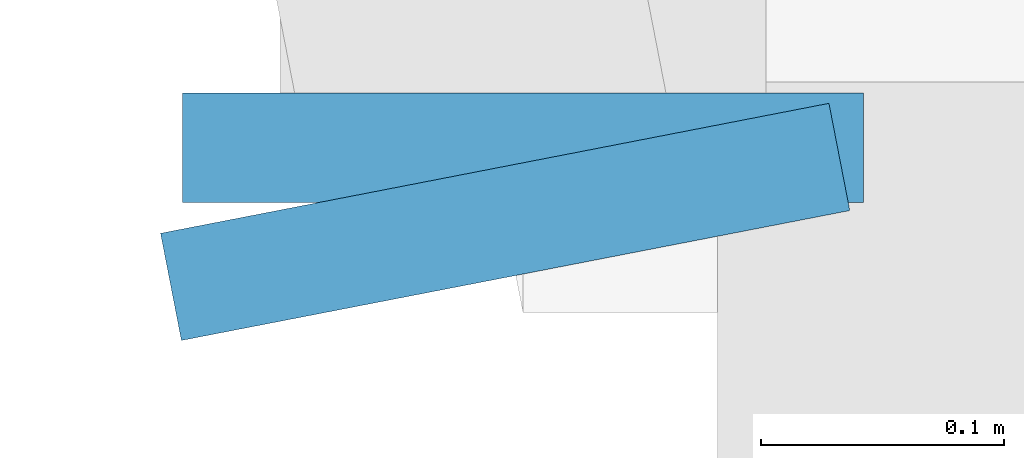
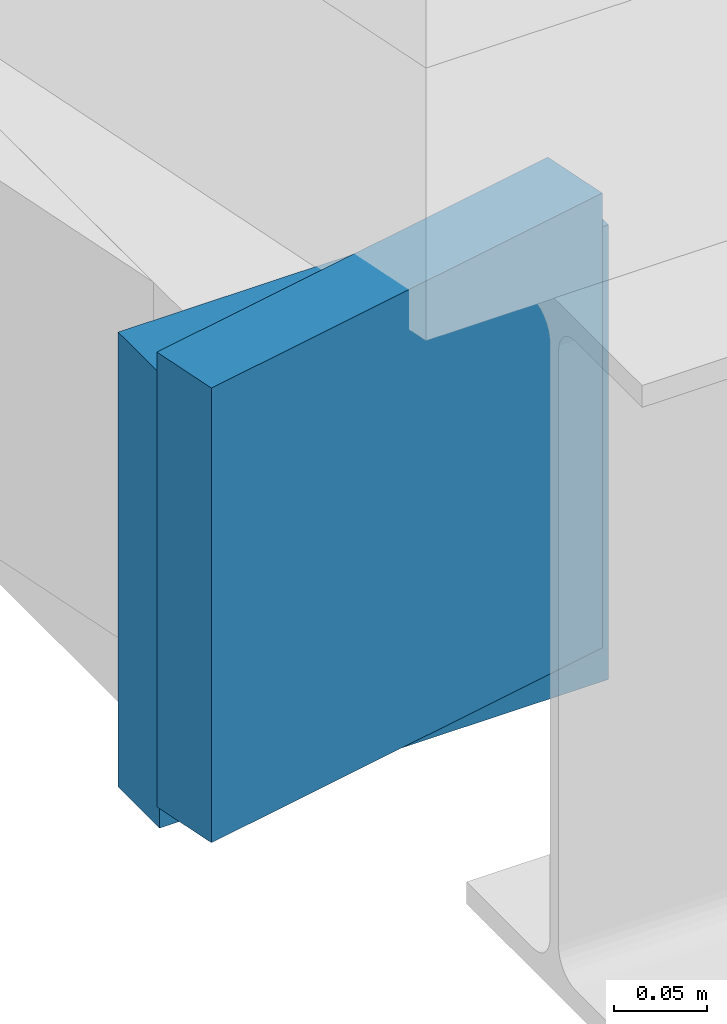
# One storey, part 77 of 96: 2 plates.
"""IFC4 building model written with IfcOpenShell, lengths in metres."""

from ifc_helpers import new_model, si_unit, direction, frame, origin, origin_2d, place, context, subcontext, project, spatial, rectangle, extrude, material, layer, layer_set, type_object, element, save


model = new_model("IFC4")

# Units and contexts
model_context = context("Model", 3, precision=1e-05, world=origin(), true_north=direction((0.0, 1.0)))
body_context = subcontext(model_context, "Body", "Model", "MODEL_VIEW")
ifc_project = project(units=[si_unit("LENGTHUNIT", "METRE"), si_unit("AREAUNIT", "SQUARE_METRE"), si_unit("VOLUMEUNIT", "CUBIC_METRE"), si_unit("PLANEANGLEUNIT", "RADIAN"), si_unit("MASSUNIT", "GRAM", prefix="KILO")], contexts=[model_context])

# Site, building, storey
site_placement = place(None, origin())
site = spatial("IfcSite", under=ifc_project, at=site_placement, CompositionType="ELEMENT")
building_placement = place(site_placement, origin())
building = spatial("IfcBuilding", under=site, at=building_placement, Name="Caisbarro Railhouse Central Library", CompositionType="ELEMENT")
storey_placement = place(building_placement, frame((0.0, 0.0, 13.679931640625)))
storey = spatial("IfcBuildingStorey", under=building, at=storey_placement, Name="L03", CompositionType="ELEMENT", Elevation=13.679931640625)

# Plates
ifc_material = material(Name="Steel ASTM A572 Grade 50", Category="steel")
ifc_layer = layer(ifc_material, 0.044921875, Name="Steel ASTM A572 Grade 50")
ifc_layer_set = layer_set([ifc_layer], Name="Steel ASTM A572 Grade 50")
plate_type = type_object("IfcPlateType", Name="PLT-EP01", PredefinedType="SHEET", material=ifc_layer_set)
for number, where, z_axis, x_axis, name in (
    (1, (117.0, 60.867919921875, -0.47998046875), (0.0, 0.0, 1.0), (0.0, 1.0, 0.0), "EP01 end cap plate"),
    (2, (116.99267578125, 60.83740234375, -0.455078125), (0.0, 0.0, 1.0), (-0.190808995377, 0.981627183448, 0.0), "EP01 end cap plate"),
):
    element("IfcPlate", number, at=place(storey_placement, frame(where, z_axis=z_axis, x_axis=x_axis)), inside=storey, type_object=plate_type, Name=name, PredefinedType="SHEET", context=body_context, shape_type="SweptSolid", body=[
        extrude(rectangle(XDim=0.044921875, YDim=0.280029296875, at=origin_2d()), origin(), (0.0, 0.0, 1.0), 0.300048828125),
    ])

save(model, "model.ifc")
